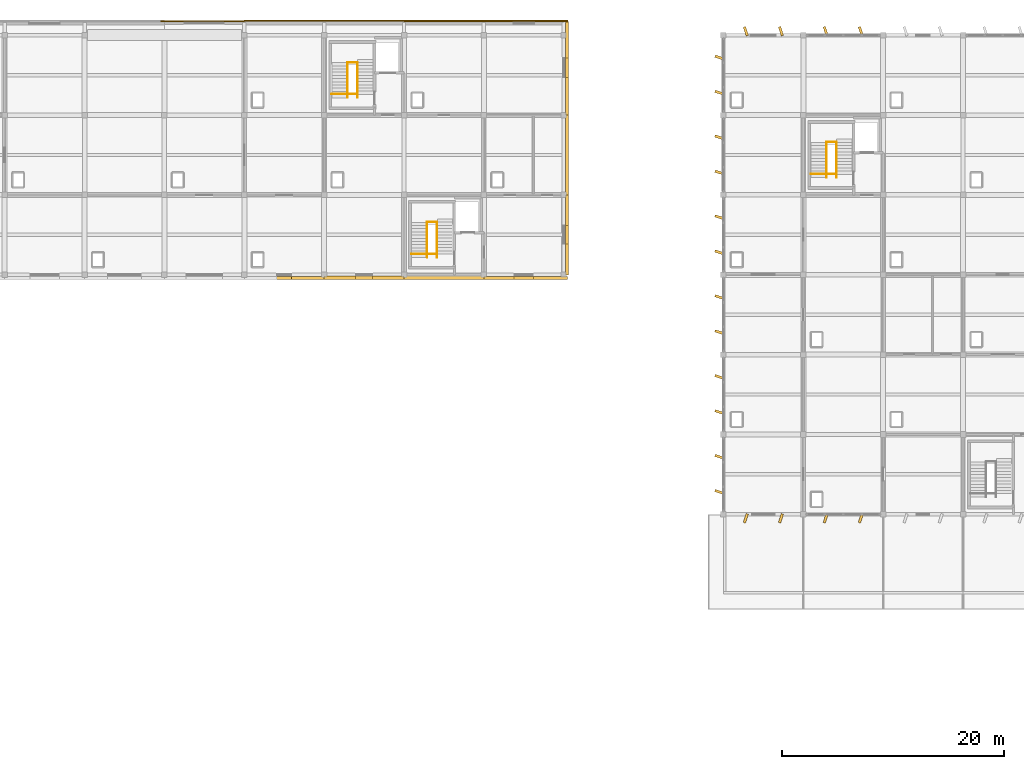
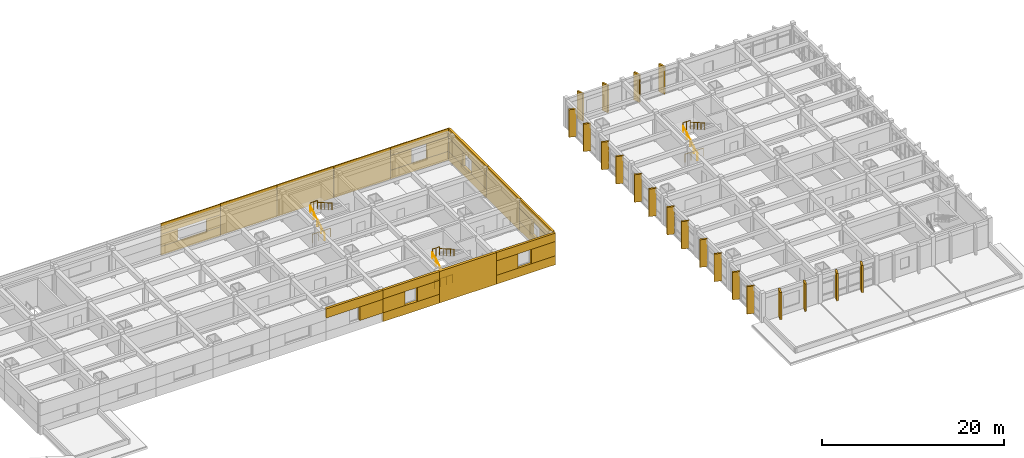
# One storey, part 39 of 40: 51 coverings, 12 railings.
"""IFC4 building model written with IfcOpenShell, lengths in metres."""

from ifc_helpers import new_model, si_unit, direction, frame, origin, origin_2d, place, context, subcontext, project, spatial, polyline, rectangle, circle, outline, extrude, material, layer, layer_set, type_object, element, save


model = new_model("IFC4")

# Units and contexts
model_context = context("Model", 3, precision=1e-05, world=origin(), true_north=direction((0.0, 1.0)))
body_context = subcontext(model_context, "Body", "Model", "MODEL_VIEW")
ifc_project = project(units=[si_unit("LENGTHUNIT", "METRE"), si_unit("AREAUNIT", "SQUARE_METRE"), si_unit("VOLUMEUNIT", "CUBIC_METRE"), si_unit("PLANEANGLEUNIT", "RADIAN"), si_unit("MASSUNIT", "GRAM", prefix="KILO")], contexts=[model_context])

# Site, building, storey
site_placement = place(None, origin())
site = spatial("IfcSite", under=ifc_project, at=site_placement, CompositionType="ELEMENT")
building_placement = place(site_placement, origin())
building = spatial("IfcBuilding", under=site, at=building_placement, Name="Kavelor Marine Aquarium", CompositionType="ELEMENT")
storey_placement = place(building_placement, frame((0.0, 0.0, 17.639892578125)))
storey = spatial("IfcBuildingStorey", under=building, at=storey_placement, Name="L04", CompositionType="ELEMENT", Elevation=17.639892578125)

# Coverings
ifc_material_1 = material(Name="Precast Concrete C45/55 Coastal Brise-Soleil Fin", Category="concrete")
ifc_layer_1 = layer(ifc_material_1, 0.219970703125)
ifc_layer_set_1 = layer_set([ifc_layer_1], Name="COV-CL1")
covering_type_1 = type_object("IfcCoveringType", Name="COV-CL1", PredefinedType="CLADDING", material=ifc_layer_set_1)
for number, where, z_axis, x_axis, name in (
    (1, (118.0400390625, 69.615966796875, 0.0), (0.0, 0.0, 1.0), (0.951056516295, -0.309016994375, 0.0), "fin:y:L04:16_09:0"),
    (2, (118.0400390625, 72.783935546875, 0.0), (0.0, 0.0, 1.0), (0.951056516295, -0.309016994375, 0.0), "fin:y:L04:16_09:1"),
    (3, (118.0400390625, 76.81591796875, 0.0), (0.0, 0.0, 1.0), (0.951056516295, -0.309016994375, 0.0), "fin:y:L04:16_10:0"),
    (4, (118.0400390625, 79.98388671875, 0.0), (0.0, 0.0, 1.0), (0.951056516295, -0.309016994375, 0.0), "fin:y:L04:16_10:1"),
    (5, (118.0400390625, 84.01611328125, 0.0), (0.0, 0.0, 1.0), (0.951056516295, -0.309016994375, 0.0), "fin:y:L04:16_11:0"),
    (6, (118.0400390625, 87.18408203125, 0.0), (0.0, 0.0, 1.0), (0.951056516295, -0.309016994375, 0.0), "fin:y:L04:16_11:1"),
    (7, (118.0400390625, 91.216064453125, 0.0), (0.0, 0.0, 1.0), (0.951056516295, -0.309016994375, 0.0), "fin:y:L04:16_12:0"),
    (8, (118.0400390625, 94.384033203125, 0.0), (0.0, 0.0, 1.0), (0.951056516295, -0.309016994375, 0.0), "fin:y:L04:16_12:1"),
    (9, (118.0400390625, 98.416015625, 0.0), (0.0, 0.0, 1.0), (0.951056516295, -0.309016994375, 0.0), "fin:y:L04:16_13:0"),
    (10, (118.0400390625, 101.583984375, 0.0), (0.0, 0.0, 1.0), (0.951056516295, -0.309016994375, 0.0), "fin:y:L04:16_13:1"),
    (11, (118.0400390625, 105.615966796875, 0.0), (0.0, 0.0, 1.0), (0.951056516295, -0.309016994375, 0.0), "fin:y:L04:16_14:0"),
    (12, (118.0400390625, 108.783935546875, 0.0), (0.0, 0.0, 1.0), (0.951056516295, -0.309016994375, 0.0), "fin:y:L04:16_14:1"),
):
    element("IfcCovering", number, at=place(storey_placement, frame(where, z_axis=z_axis, x_axis=x_axis)), inside=storey, type_object=covering_type_1, Name=name, PredefinedType="CLADDING", context=body_context, shape_type="SweptSolid", body=[
        extrude(rectangle(XDim=0.85009765625, YDim=0.219970703125, at=origin_2d()), origin(), (0.0, 0.0, 1.0), 3.699951171875),
    ])
for number, where, z_axis, x_axis, name in (
    (13, (120.416015625, 67.239990234375, 0.0), (0.0, 0.0, 1.0), (0.951056516295, -0.309016994375, 0.0), "fin:x:L04:16_09:0"),
    (14, (123.583984375, 67.239990234375, 0.0), (0.0, 0.0, 1.0), (0.951056516295, -0.309016994375, 0.0), "fin:x:L04:16_09:1"),
    (15, (120.416015625, 111.159912109375, 0.0), (0.0, 0.0, 1.0), (0.951056516295, 0.309016994375, 0.0), "fin:x:L04:16_15:0"),
    (16, (123.583984375, 111.159912109375, 0.0), (0.0, 0.0, 1.0), (0.951056516295, 0.309016994375, 0.0), "fin:x:L04:16_15:1"),
    (17, (127.615966796875, 67.239990234375, 0.0), (0.0, 0.0, 1.0), (0.951056516295, -0.309016994375, 0.0), "fin:x:L04:17_09:0"),
    (18, (130.783935546875, 67.239990234375, 0.0), (0.0, 0.0, 1.0), (0.951056516295, -0.309016994375, 0.0), "fin:x:L04:17_09:1"),
    (19, (127.615966796875, 111.159912109375, 0.0), (0.0, 0.0, 1.0), (0.951056516295, 0.309016994375, 0.0), "fin:x:L04:17_15:0"),
    (20, (130.783935546875, 111.159912109375, 0.0), (0.0, 0.0, 1.0), (0.951056516295, 0.309016994375, 0.0), "fin:x:L04:17_15:1"),
):
    element("IfcCovering", number, at=place(storey_placement, frame(where, z_axis=z_axis, x_axis=x_axis)), inside=storey, type_object=covering_type_1, Name=name, PredefinedType="CLADDING", context=body_context, shape_type="SweptSolid", body=[
        extrude(rectangle(XDim=0.219970703125, YDim=0.85009765625, at=origin_2d()), origin(), (0.0, 0.0, 1.0), 3.699951171875),
    ])
ifc_material_2 = material(Name="Smooth White Marine Aluminium Composite Cladding", Category="aluminium")
ifc_layer_2 = layer(ifc_material_2, 0.10009765625)
ifc_layer_set_2 = layer_set([ifc_layer_2], Name="COV-WM1")
covering_type_2 = type_object("IfcCoveringType", Name="COV-WM1", PredefinedType="CLADDING", material=ifc_layer_set_2)
covering_1_placement = place(storey_placement, frame((0.0, 0.0, -0.27978515625)))
element("IfcCovering", 21, at=covering_1_placement, inside=storey, type_object=covering_type_2, Name="wmc:x:L04:09_15:sill", PredefinedType="CLADDING", context=body_context, shape_type="SweptSolid", body=[
    extrude(outline(polyline([(67.64990234375, 112.0), (75.199951171875, 112.0), (75.199951171875, 112.1201171875), (67.64990234375, 112.1201171875), (67.64990234375, 112.0)])), origin(), (0.0, 0.0, 1.0), 1.18994140625),
])
covering_2_placement = place(storey_placement, frame((0.0, 0.0, 2.5400390625)))
element("IfcCovering", 22, at=covering_2_placement, inside=storey, type_object=covering_type_2, Name="wmc:x:L04:09_15:head", PredefinedType="CLADDING", context=body_context, shape_type="SweptSolid", body=[
    extrude(outline(polyline([(67.64990234375, 112.0), (75.199951171875, 112.0), (75.199951171875, 112.1201171875), (67.64990234375, 112.1201171875), (67.64990234375, 112.0)])), origin(), (0.0, 0.0, 1.0), 1.420166015625),
])
covering_3_placement = place(storey_placement, frame((0.0, 0.0, 0.91015625)))
element("IfcCovering", 23, at=covering_3_placement, inside=storey, type_object=covering_type_2, Name="wmc:x:L04:09_15:left", PredefinedType="CLADDING", context=body_context, shape_type="SweptSolid", body=[
    extrude(outline(polyline([(67.64990234375, 112.0), (69.81005859375, 112.0), (69.81005859375, 112.1201171875), (67.64990234375, 112.1201171875), (67.64990234375, 112.0)])), origin(), (0.0, 0.0, 1.0), 1.6298828125),
])
covering_4_placement = place(storey_placement, frame((0.0, 0.0, 0.91015625)))
element("IfcCovering", 24, at=covering_4_placement, inside=storey, type_object=covering_type_2, Name="wmc:x:L04:09_15:right", PredefinedType="CLADDING", context=body_context, shape_type="SweptSolid", body=[
    extrude(outline(polyline([(73.389892578125, 112.0), (75.199951171875, 112.0), (75.199951171875, 112.1201171875), (73.389892578125, 112.1201171875), (73.389892578125, 112.0)])), origin(), (0.0, 0.0, 1.0), 1.6298828125),
])
covering_5_placement = place(storey_placement, frame((0.0, 0.0, 2.739990234375)))
element("IfcCovering", 25, at=covering_5_placement, inside=storey, type_object=covering_type_2, Name="wmc:x:L04:10_12:head", PredefinedType="CLADDING", context=body_context, shape_type="SweptSolid", body=[
    extrude(outline(polyline([(75.199951171875, 88.760009765625), (82.39990234375, 88.760009765625), (82.39990234375, 89.06005859375), (75.199951171875, 89.06005859375), (75.199951171875, 88.760009765625)])), origin(), (0.0, 0.0, 1.0), 1.22021484375),
])
covering_6_placement = place(storey_placement, frame((0.0, 0.0, 0.91015625)))
element("IfcCovering", 26, at=covering_6_placement, inside=storey, type_object=covering_type_2, Name="wmc:x:L04:10_12:right", PredefinedType="CLADDING", context=body_context, shape_type="SweptSolid", body=[
    extrude(outline(polyline([(79.465087890625, 88.760009765625), (82.39990234375, 88.760009765625), (82.39990234375, 89.06005859375), (79.465087890625, 89.06005859375), (79.465087890625, 88.760009765625)])), origin(), (0.0, 0.0, 1.0), 1.829833984375),
])
covering_7_placement = place(storey_placement, frame((0.0, 0.0, -0.27978515625)))
element("IfcCovering", 27, at=covering_7_placement, inside=storey, type_object=covering_type_2, Name="wmc:x:L04:10_15:full", PredefinedType="CLADDING", context=body_context, shape_type="SweptSolid", body=[
    extrude(outline(polyline([(75.199951171875, 112.0400390625), (82.39990234375, 112.0400390625), (82.39990234375, 112.159912109375), (75.199951171875, 112.159912109375), (75.199951171875, 112.0400390625)])), origin(), (0.0, 0.0, 1.0), 4.239990234375),
])
covering_8_placement = place(storey_placement, frame((0.0, 0.0, -0.27978515625)))
element("IfcCovering", 28, at=covering_8_placement, inside=storey, type_object=covering_type_2, Name="wmc:x:L04:11_12:sill", PredefinedType="CLADDING", context=body_context, shape_type="SweptSolid", body=[
    extrude(outline(polyline([(82.39990234375, 88.760009765625), (89.60009765625, 88.760009765625), (89.60009765625, 89.070068359375), (82.39990234375, 89.070068359375), (82.39990234375, 88.760009765625)])), origin(), (0.0, 0.0, 1.0), 1.18994140625),
])
covering_9_placement = place(storey_placement, frame((0.0, 0.0, 2.7900390625)))
element("IfcCovering", 29, at=covering_9_placement, inside=storey, type_object=covering_type_2, Name="wmc:x:L04:11_12:head", PredefinedType="CLADDING", context=body_context, shape_type="SweptSolid", body=[
    extrude(outline(polyline([(82.39990234375, 88.760009765625), (89.60009765625, 88.760009765625), (89.60009765625, 89.070068359375), (82.39990234375, 89.070068359375), (82.39990234375, 88.760009765625)])), origin(), (0.0, 0.0, 1.0), 1.170166015625),
])
covering_10_placement = place(storey_placement, frame((0.0, 0.0, 0.91015625)))
element("IfcCovering", 30, at=covering_10_placement, inside=storey, type_object=covering_type_2, Name="wmc:x:L04:11_12:left", PredefinedType="CLADDING", context=body_context, shape_type="SweptSolid", body=[
    extrude(outline(polyline([(82.39990234375, 88.760009765625), (85.235107421875, 88.760009765625), (85.235107421875, 89.070068359375), (82.39990234375, 89.070068359375), (82.39990234375, 88.760009765625)])), origin(), (0.0, 0.0, 1.0), 1.8798828125),
])
covering_11_placement = place(storey_placement, frame((0.0, 0.0, 0.91015625)))
element("IfcCovering", 31, at=covering_11_placement, inside=storey, type_object=covering_type_2, Name="wmc:x:L04:11_12:right", PredefinedType="CLADDING", context=body_context, shape_type="SweptSolid", body=[
    extrude(outline(polyline([(86.764892578125, 88.760009765625), (89.60009765625, 88.760009765625), (89.60009765625, 89.070068359375), (86.764892578125, 89.070068359375), (86.764892578125, 88.760009765625)])), origin(), (0.0, 0.0, 1.0), 1.8798828125),
])
covering_12_placement = place(storey_placement, frame((0.0, 0.0, -0.27978515625)))
element("IfcCovering", 32, at=covering_12_placement, inside=storey, type_object=covering_type_2, Name="wmc:x:L04:11_15:full", PredefinedType="CLADDING", context=body_context, shape_type="SweptSolid", body=[
    extrude(outline(polyline([(82.39990234375, 112.050048828125), (89.60009765625, 112.050048828125), (89.60009765625, 112.169921875), (82.39990234375, 112.169921875), (82.39990234375, 112.050048828125)])), origin(), (0.0, 0.0, 1.0), 4.239990234375),
])
covering_13_placement = place(storey_placement, frame((0.0, 0.0, -0.27978515625)))
element("IfcCovering", 33, at=covering_13_placement, inside=storey, type_object=covering_type_2, Name="wmc:x:L04:12_12:full", PredefinedType="CLADDING", context=body_context, shape_type="SweptSolid", body=[
    extrude(outline(polyline([(89.60009765625, 88.760009765625), (96.800048828125, 88.760009765625), (96.800048828125, 89.080078125), (89.60009765625, 89.080078125), (89.60009765625, 88.760009765625)])), origin(), (0.0, 0.0, 1.0), 4.239990234375),
])
covering_14_placement = place(storey_placement, frame((0.0, 0.0, -0.27978515625)))
element("IfcCovering", 34, at=covering_14_placement, inside=storey, type_object=covering_type_2, Name="wmc:x:L04:12_15:full", PredefinedType="CLADDING", context=body_context, shape_type="SweptSolid", body=[
    extrude(outline(polyline([(89.60009765625, 112.030029296875), (96.800048828125, 112.030029296875), (96.800048828125, 112.14990234375), (89.60009765625, 112.14990234375), (89.60009765625, 112.030029296875)])), origin(), (0.0, 0.0, 1.0), 4.239990234375),
])
covering_15_placement = place(storey_placement, frame((0.0, 0.0, -0.27978515625)))
element("IfcCovering", 35, at=covering_15_placement, inside=storey, type_object=covering_type_2, Name="wmc:x:L04:13_12:sill", PredefinedType="CLADDING", context=body_context, shape_type="SweptSolid", body=[
    extrude(outline(polyline([(96.800048828125, 88.760009765625), (104.35009765625, 88.760009765625), (104.35009765625, 89.0400390625), (96.800048828125, 89.0400390625), (96.800048828125, 88.760009765625)])), origin(), (0.0, 0.0, 1.0), 1.18994140625),
])
covering_16_placement = place(storey_placement, frame((0.0, 0.0, 2.840087890625)))
element("IfcCovering", 36, at=covering_16_placement, inside=storey, type_object=covering_type_2, Name="wmc:x:L04:13_12:head", PredefinedType="CLADDING", context=body_context, shape_type="SweptSolid", body=[
    extrude(outline(polyline([(96.800048828125, 88.760009765625), (104.35009765625, 88.760009765625), (104.35009765625, 89.0400390625), (96.800048828125, 89.0400390625), (96.800048828125, 88.760009765625)])), origin(), (0.0, 0.0, 1.0), 1.1201171875),
])
covering_17_placement = place(storey_placement, frame((0.0, 0.0, 0.91015625)))
element("IfcCovering", 37, at=covering_17_placement, inside=storey, type_object=covering_type_2, Name="wmc:x:L04:13_12:left", PredefinedType="CLADDING", context=body_context, shape_type="SweptSolid", body=[
    extrude(outline(polyline([(96.800048828125, 88.760009765625), (99.534912109375, 88.760009765625), (99.534912109375, 89.0400390625), (96.800048828125, 89.0400390625), (96.800048828125, 88.760009765625)])), origin(), (0.0, 0.0, 1.0), 1.929931640625),
])
covering_18_placement = place(storey_placement, frame((0.0, 0.0, 0.91015625)))
element("IfcCovering", 38, at=covering_18_placement, inside=storey, type_object=covering_type_2, Name="wmc:x:L04:13_12:right", PredefinedType="CLADDING", context=body_context, shape_type="SweptSolid", body=[
    extrude(outline(polyline([(101.264892578125, 88.760009765625), (104.35009765625, 88.760009765625), (104.35009765625, 89.0400390625), (101.264892578125, 89.0400390625), (101.264892578125, 88.760009765625)])), origin(), (0.0, 0.0, 1.0), 1.929931640625),
])
covering_19_placement = place(storey_placement, frame((0.0, 0.0, -0.27978515625)))
element("IfcCovering", 39, at=covering_19_placement, inside=storey, type_object=covering_type_2, Name="wmc:x:L04:13_15:sill", PredefinedType="CLADDING", context=body_context, shape_type="SweptSolid", body=[
    extrude(outline(polyline([(96.800048828125, 112.02001953125), (104.35009765625, 112.02001953125), (104.35009765625, 112.139892578125), (96.800048828125, 112.139892578125), (96.800048828125, 112.02001953125)])), origin(), (0.0, 0.0, 1.0), 1.18994140625),
])
covering_20_placement = place(storey_placement, frame((0.0, 0.0, 2.89013671875)))
element("IfcCovering", 40, at=covering_20_placement, inside=storey, type_object=covering_type_2, Name="wmc:x:L04:13_15:head", PredefinedType="CLADDING", context=body_context, shape_type="SweptSolid", body=[
    extrude(outline(polyline([(96.800048828125, 112.02001953125), (104.35009765625, 112.02001953125), (104.35009765625, 112.139892578125), (96.800048828125, 112.139892578125), (96.800048828125, 112.02001953125)])), origin(), (0.0, 0.0, 1.0), 1.070068359375),
])
covering_21_placement = place(storey_placement, frame((0.0, 0.0, 0.91015625)))
element("IfcCovering", 41, at=covering_21_placement, inside=storey, type_object=covering_type_2, Name="wmc:x:L04:13_15:left", PredefinedType="CLADDING", context=body_context, shape_type="SweptSolid", body=[
    extrude(outline(polyline([(96.800048828125, 112.02001953125), (99.43505859375, 112.02001953125), (99.43505859375, 112.139892578125), (96.800048828125, 112.139892578125), (96.800048828125, 112.02001953125)])), origin(), (0.0, 0.0, 1.0), 1.97998046875),
])
covering_22_placement = place(storey_placement, frame((0.0, 0.0, 0.91015625)))
element("IfcCovering", 42, at=covering_22_placement, inside=storey, type_object=covering_type_2, Name="wmc:x:L04:13_15:right", PredefinedType="CLADDING", context=body_context, shape_type="SweptSolid", body=[
    extrude(outline(polyline([(101.364990234375, 112.02001953125), (104.35009765625, 112.02001953125), (104.35009765625, 112.139892578125), (101.364990234375, 112.139892578125), (101.364990234375, 112.02001953125)])), origin(), (0.0, 0.0, 1.0), 1.97998046875),
])
covering_23_placement = place(storey_placement, frame((0.0, 0.0, -0.27978515625)))
element("IfcCovering", 43, at=covering_23_placement, inside=storey, type_object=covering_type_2, Name="wmc:y:L04:14_12:sill", PredefinedType="CLADDING", context=body_context, shape_type="SweptSolid", body=[
    extrude(outline(polyline([(104.169921875, 89.199951171875), (104.43994140625, 89.199951171875), (104.43994140625, 96.39990234375), (104.169921875, 96.39990234375), (104.169921875, 89.199951171875)])), origin(), (0.0, 0.0, 1.0), 1.18994140625),
])
covering_24_placement = place(storey_placement, frame((0.0, 0.0, 2.690185546875)))
element("IfcCovering", 44, at=covering_24_placement, inside=storey, type_object=covering_type_2, Name="wmc:y:L04:14_12:head", PredefinedType="CLADDING", context=body_context, shape_type="SweptSolid", body=[
    extrude(outline(polyline([(104.169921875, 89.199951171875), (104.43994140625, 89.199951171875), (104.43994140625, 96.39990234375), (104.169921875, 96.39990234375), (104.169921875, 89.199951171875)])), origin(), (0.0, 0.0, 1.0), 1.27001953125),
])
covering_25_placement = place(storey_placement, frame((0.0, 0.0, 0.91015625)))
element("IfcCovering", 45, at=covering_25_placement, inside=storey, type_object=covering_type_2, Name="wmc:y:L04:14_12:left", PredefinedType="CLADDING", context=body_context, shape_type="SweptSolid", body=[
    extrude(outline(polyline([(104.169921875, 89.199951171875), (104.43994140625, 89.199951171875), (104.43994140625, 91.9599609375), (104.169921875, 91.9599609375), (104.169921875, 89.199951171875)])), origin(), (0.0, 0.0, 1.0), 1.780029296875),
])
covering_26_placement = place(storey_placement, frame((0.0, 0.0, 0.91015625)))
element("IfcCovering", 46, at=covering_26_placement, inside=storey, type_object=covering_type_2, Name="wmc:y:L04:14_12:right", PredefinedType="CLADDING", context=body_context, shape_type="SweptSolid", body=[
    extrude(outline(polyline([(104.169921875, 93.639892578125), (104.43994140625, 93.639892578125), (104.43994140625, 96.39990234375), (104.169921875, 96.39990234375), (104.169921875, 93.639892578125)])), origin(), (0.0, 0.0, 1.0), 1.780029296875),
])
covering_27_placement = place(storey_placement, frame((0.0, 0.0, -0.27978515625)))
element("IfcCovering", 47, at=covering_27_placement, inside=storey, type_object=covering_type_2, Name="wmc:y:L04:14_13:full", PredefinedType="CLADDING", context=body_context, shape_type="SweptSolid", body=[
    extrude(outline(polyline([(104.14990234375, 96.39990234375), (104.43994140625, 96.39990234375), (104.43994140625, 103.60009765625), (104.14990234375, 103.60009765625), (104.14990234375, 96.39990234375)])), origin(), (0.0, 0.0, 1.0), 4.239990234375),
])
covering_28_placement = place(storey_placement, frame((0.0, 0.0, -0.27978515625)))
element("IfcCovering", 48, at=covering_28_placement, inside=storey, type_object=covering_type_2, Name="wmc:y:L04:14_14:sill", PredefinedType="CLADDING", context=body_context, shape_type="SweptSolid", body=[
    extrude(outline(polyline([(104.139892578125, 103.60009765625), (104.43994140625, 103.60009765625), (104.43994140625, 112.0400390625), (104.139892578125, 112.0400390625), (104.139892578125, 103.60009765625)])), origin(), (0.0, 0.0, 1.0), 1.18994140625),
])
covering_29_placement = place(storey_placement, frame((0.0, 0.0, 2.739990234375)))
element("IfcCovering", 49, at=covering_29_placement, inside=storey, type_object=covering_type_2, Name="wmc:y:L04:14_14:head", PredefinedType="CLADDING", context=body_context, shape_type="SweptSolid", body=[
    extrude(outline(polyline([(104.139892578125, 103.60009765625), (104.43994140625, 103.60009765625), (104.43994140625, 112.0400390625), (104.139892578125, 112.0400390625), (104.139892578125, 103.60009765625)])), origin(), (0.0, 0.0, 1.0), 1.22021484375),
])
covering_30_placement = place(storey_placement, frame((0.0, 0.0, 0.91015625)))
element("IfcCovering", 50, at=covering_30_placement, inside=storey, type_object=covering_type_2, Name="wmc:y:L04:14_14:left", PredefinedType="CLADDING", context=body_context, shape_type="SweptSolid", body=[
    extrude(outline(polyline([(104.139892578125, 103.60009765625), (104.43994140625, 103.60009765625), (104.43994140625, 106.972412109375), (104.139892578125, 106.972412109375), (104.139892578125, 103.60009765625)])), origin(), (0.0, 0.0, 1.0), 1.829833984375),
])
covering_31_placement = place(storey_placement, frame((0.0, 0.0, 0.91015625)))
element("IfcCovering", 51, at=covering_31_placement, inside=storey, type_object=covering_type_2, Name="wmc:y:L04:14_14:right", PredefinedType="CLADDING", context=body_context, shape_type="SweptSolid", body=[
    extrude(outline(polyline([(104.139892578125, 108.75244140625), (104.43994140625, 108.75244140625), (104.43994140625, 112.0400390625), (104.139892578125, 112.0400390625), (104.139892578125, 108.75244140625)])), origin(), (0.0, 0.0, 1.0), 1.829833984375),
])

# Railings
ifc_material_3 = material(Name="Brushed Stainless Steel Wall and Flight Handrail", Category="steel")
railing_type_1 = type_object("IfcRailingType", Name="RL-HR1", PredefinedType="HANDRAIL", material=ifc_material_3)
railing_1_placement = place(storey_placement, frame((84.489990234375, 105.159912109375, 0.0)))
element("IfcRailing", 52, at=railing_1_placement, inside=storey, type_object=railing_type_1, Name="Stair Handrail ST06-1", PredefinedType="HANDRAIL", context=body_context, shape_type="SweptSolid", body=[
    extrude(circle(Radius=0.02001953125, at=origin_2d()), frame((0.0, 0.0, 0.8798828125), z_axis=(0.0, 0.867662351192, 0.497153944291), x_axis=(-1.0, 0.0, 0.0)), (0.0, 0.0, 1.0), 3.651123046875),
    extrude(circle(Radius=0.01806640625, at=origin_2d()), origin(), (0.0, 0.0, 1.0), 0.85986328125),
    extrude(circle(Radius=0.01806640625, at=origin_2d()), frame((0.0, 0.7919921875, 0.453857421875)), (0.0, 0.0, 1.0), 0.85986328125),
    extrude(circle(Radius=0.01806640625, at=origin_2d()), frame((0.0, 1.583984375, 0.90771484375)), (0.0, 0.0, 1.0), 0.85986328125),
    extrude(circle(Radius=0.01806640625, at=origin_2d()), frame((0.0, 2.3759765625, 1.361328125)), (0.0, 0.0, 1.0), 0.85986328125),
    extrude(circle(Radius=0.01806640625, at=origin_2d()), frame((0.0, 3.16796875, 1.815185546875)), (0.0, 0.0, 1.0), 0.85986328125),
])
railing_2_placement = place(storey_placement, frame((85.389892578125, 108.327880859375, 1.980224609375)))
element("IfcRailing", 53, at=railing_2_placement, inside=storey, type_object=railing_type_1, Name="Stair Handrail ST06-2", PredefinedType="HANDRAIL", context=body_context, shape_type="SweptSolid", body=[
    extrude(circle(Radius=0.02001953125, at=origin_2d()), frame((0.0, 0.0, 0.8798828125), z_axis=(0.0, -0.86769119443, 0.497103601988), x_axis=(1.0, 0.0, 0.0)), (0.0, 0.0, 1.0), 3.651123046875),
    extrude(circle(Radius=0.01806640625, at=origin_2d()), origin(), (0.0, 0.0, 1.0), 0.85986328125),
    extrude(circle(Radius=0.01806640625, at=origin_2d()), frame((0.0, -0.7919921875, 0.45361328125)), (0.0, 0.0, 1.0), 0.85986328125),
    extrude(circle(Radius=0.01806640625, at=origin_2d()), frame((0.0, -1.583984375, 0.907470703125)), (0.0, 0.0, 1.0), 0.85986328125),
    extrude(circle(Radius=0.01806640625, at=origin_2d()), frame((0.0, -2.3759765625, 1.361328125)), (0.0, 0.0, 1.0), 0.85986328125),
    extrude(circle(Radius=0.01806640625, at=origin_2d()), frame((0.0, -3.16796875, 1.81494140625)), (0.0, 0.0, 1.0), 0.85986328125),
])
railing_3_placement = place(storey_placement, frame((91.68994140625, 90.760009765625, 0.0)))
element("IfcRailing", 54, at=railing_3_placement, inside=storey, type_object=railing_type_1, Name="Stair Handrail ST07-1", PredefinedType="HANDRAIL", context=body_context, shape_type="SweptSolid", body=[
    extrude(circle(Radius=0.02001953125, at=origin_2d()), frame((0.0, 0.0, 0.8798828125), z_axis=(0.0, 0.867662351192, 0.497153944291), x_axis=(-1.0, 0.0, 0.0)), (0.0, 0.0, 1.0), 3.651123046875),
    extrude(circle(Radius=0.01806640625, at=origin_2d()), origin(), (0.0, 0.0, 1.0), 0.85986328125),
    extrude(circle(Radius=0.01806640625, at=origin_2d()), frame((0.0, 0.7919921875, 0.453857421875)), (0.0, 0.0, 1.0), 0.85986328125),
    extrude(circle(Radius=0.01806640625, at=origin_2d()), frame((0.0, 1.583984375, 0.90771484375)), (0.0, 0.0, 1.0), 0.85986328125),
    extrude(circle(Radius=0.01806640625, at=origin_2d()), frame((0.0, 2.3759765625, 1.361328125)), (0.0, 0.0, 1.0), 0.85986328125),
    extrude(circle(Radius=0.01806640625, at=origin_2d()), frame((0.0, 3.16796875, 1.815185546875)), (0.0, 0.0, 1.0), 0.85986328125),
])
railing_4_placement = place(storey_placement, frame((92.590087890625, 93.927978515625, 1.980224609375)))
element("IfcRailing", 55, at=railing_4_placement, inside=storey, type_object=railing_type_1, Name="Stair Handrail ST07-2", PredefinedType="HANDRAIL", context=body_context, shape_type="SweptSolid", body=[
    extrude(circle(Radius=0.02001953125, at=origin_2d()), frame((0.0, 0.0, 0.8798828125), z_axis=(0.0, -0.86769119443, 0.497103601988), x_axis=(1.0, 0.0, 0.0)), (0.0, 0.0, 1.0), 3.651123046875),
    extrude(circle(Radius=0.01806640625, at=origin_2d()), origin(), (0.0, 0.0, 1.0), 0.85986328125),
    extrude(circle(Radius=0.01806640625, at=origin_2d()), frame((0.0, -0.7919921875, 0.45361328125)), (0.0, 0.0, 1.0), 0.85986328125),
    extrude(circle(Radius=0.01806640625, at=origin_2d()), frame((0.0, -1.583984375, 0.907470703125)), (0.0, 0.0, 1.0), 0.85986328125),
    extrude(circle(Radius=0.01806640625, at=origin_2d()), frame((0.0, -2.3759765625, 1.361328125)), (0.0, 0.0, 1.0), 0.85986328125),
    extrude(circle(Radius=0.01806640625, at=origin_2d()), frame((0.0, -3.16796875, 1.81494140625)), (0.0, 0.0, 1.0), 0.85986328125),
])
railing_5_placement = place(storey_placement, frame((127.68994140625, 97.9599609375, 0.0)))
element("IfcRailing", 56, at=railing_5_placement, inside=storey, type_object=railing_type_1, Name="Stair Handrail ST10-1", PredefinedType="HANDRAIL", context=body_context, shape_type="SweptSolid", body=[
    extrude(circle(Radius=0.02001953125, at=origin_2d()), frame((0.0, 0.0, 0.8798828125), z_axis=(0.0, 0.867662351192, 0.497153944291), x_axis=(-1.0, 0.0, 0.0)), (0.0, 0.0, 1.0), 3.651123046875),
    extrude(circle(Radius=0.01806640625, at=origin_2d()), origin(), (0.0, 0.0, 1.0), 0.85986328125),
    extrude(circle(Radius=0.01806640625, at=origin_2d()), frame((0.0, 0.7919921875, 0.453857421875)), (0.0, 0.0, 1.0), 0.85986328125),
    extrude(circle(Radius=0.01806640625, at=origin_2d()), frame((0.0, 1.583984375, 0.90771484375)), (0.0, 0.0, 1.0), 0.85986328125),
    extrude(circle(Radius=0.01806640625, at=origin_2d()), frame((0.0, 2.3759765625, 1.361328125)), (0.0, 0.0, 1.0), 0.85986328125),
    extrude(circle(Radius=0.01806640625, at=origin_2d()), frame((0.0, 3.16796875, 1.815185546875)), (0.0, 0.0, 1.0), 0.85986328125),
])
railing_6_placement = place(storey_placement, frame((128.590087890625, 101.1279296875, 1.980224609375)))
element("IfcRailing", 57, at=railing_6_placement, inside=storey, type_object=railing_type_1, Name="Stair Handrail ST10-2", PredefinedType="HANDRAIL", context=body_context, shape_type="SweptSolid", body=[
    extrude(circle(Radius=0.02001953125, at=origin_2d()), frame((0.0, 0.0, 0.8798828125), z_axis=(0.0, -0.86769119443, 0.497103601988), x_axis=(1.0, 0.0, 0.0)), (0.0, 0.0, 1.0), 3.651123046875),
    extrude(circle(Radius=0.01806640625, at=origin_2d()), origin(), (0.0, 0.0, 1.0), 0.85986328125),
    extrude(circle(Radius=0.01806640625, at=origin_2d()), frame((0.0, -0.7919921875, 0.45361328125)), (0.0, 0.0, 1.0), 0.85986328125),
    extrude(circle(Radius=0.01806640625, at=origin_2d()), frame((0.0, -1.583984375, 0.907470703125)), (0.0, 0.0, 1.0), 0.85986328125),
    extrude(circle(Radius=0.01806640625, at=origin_2d()), frame((0.0, -2.3759765625, 1.361328125)), (0.0, 0.0, 1.0), 0.85986328125),
    extrude(circle(Radius=0.01806640625, at=origin_2d()), frame((0.0, -3.16796875, 1.81494140625)), (0.0, 0.0, 1.0), 0.85986328125),
])
ifc_material_4 = material(Name="Brushed Stainless Steel Stair Guardrail", Category="steel")
railing_type_2 = type_object("IfcRailingType", Name="RL-SG1", PredefinedType="GUARDRAIL", material=ifc_material_4)
railing_7_placement = place(storey_placement, frame((84.489990234375, 108.35791015625, 1.980224609375)))
element("IfcRailing", 58, at=railing_7_placement, inside=storey, type_object=railing_type_2, Name="Landing Guardrail ST06-M", PredefinedType="GUARDRAIL", context=body_context, shape_type="SweptSolid", body=[
    extrude(circle(Radius=0.0224609375, at=origin_2d()), frame((0.0, 0.0, 1.09765625), z_axis=(1.0, 0.0, 0.0), x_axis=(0.0, 1.0, 0.0)), (0.0, 0.0, 1.0), 0.89990234375),
    extrude(circle(Radius=0.02099609375, at=origin_2d()), origin(), (0.0, 0.0, 1.0), 1.0751953125),
    extrude(circle(Radius=0.02099609375, at=origin_2d()), frame((0.449951171875, 0.0, 0.0)), (0.0, 0.0, 1.0), 1.0751953125),
    extrude(circle(Radius=0.02099609375, at=origin_2d()), frame((0.89990234375, 0.0, 0.0)), (0.0, 0.0, 1.0), 1.0751953125),
])
railing_8_placement = place(storey_placement, frame((83.080078125, 105.47998046875, 0.0)))
element("IfcRailing", 59, at=railing_8_placement, inside=storey, type_object=railing_type_2, Name="Stairwell Guardrail ST06-W", PredefinedType="GUARDRAIL", context=body_context, shape_type="SweptSolid", body=[
    extrude(circle(Radius=0.0224609375, at=origin_2d()), frame((0.0, 0.0, 1.09765625), z_axis=(1.0, 0.0, 0.0), x_axis=(0.0, 1.0, 0.0)), (0.0, 0.0, 1.0), 2.2998046875),
    extrude(circle(Radius=0.02099609375, at=origin_2d()), origin(), (0.0, 0.0, 1.0), 1.0751953125),
    extrude(circle(Radius=0.02099609375, at=origin_2d()), frame((0.7666015625, 0.0, 0.0)), (0.0, 0.0, 1.0), 1.0751953125),
    extrude(circle(Radius=0.02099609375, at=origin_2d()), frame((1.533203125, 0.0, 0.0)), (0.0, 0.0, 1.0), 1.0751953125),
    extrude(circle(Radius=0.02099609375, at=origin_2d()), frame((2.2998046875, 0.0, 0.0)), (0.0, 0.0, 1.0), 1.0751953125),
])
railing_9_placement = place(storey_placement, frame((91.68994140625, 93.9580078125, 1.980224609375)))
element("IfcRailing", 60, at=railing_9_placement, inside=storey, type_object=railing_type_2, Name="Landing Guardrail ST07-M", PredefinedType="GUARDRAIL", context=body_context, shape_type="SweptSolid", body=[
    extrude(circle(Radius=0.0224609375, at=origin_2d()), frame((0.0, 0.0, 1.09765625), z_axis=(1.0, 0.0, 0.0), x_axis=(0.0, 1.0, 0.0)), (0.0, 0.0, 1.0), 0.900146484375),
    extrude(circle(Radius=0.02099609375, at=origin_2d()), origin(), (0.0, 0.0, 1.0), 1.0751953125),
    extrude(circle(Radius=0.02099609375, at=origin_2d()), frame((0.4501953125, 0.0, 0.0)), (0.0, 0.0, 1.0), 1.0751953125),
    extrude(circle(Radius=0.02099609375, at=origin_2d()), frame((0.900146484375, 0.0, 0.0)), (0.0, 0.0, 1.0), 1.0751953125),
])
railing_10_placement = place(storey_placement, frame((90.280029296875, 91.080078125, 0.0)))
element("IfcRailing", 61, at=railing_10_placement, inside=storey, type_object=railing_type_2, Name="Stairwell Guardrail ST07-W", PredefinedType="GUARDRAIL", context=body_context, shape_type="SweptSolid", body=[
    extrude(circle(Radius=0.0224609375, at=origin_2d()), frame((0.0, 0.0, 1.09765625), z_axis=(1.0, 0.0, 0.0), x_axis=(0.0, 1.0, 0.0)), (0.0, 0.0, 1.0), 2.300048828125),
    extrude(circle(Radius=0.02099609375, at=origin_2d()), origin(), (0.0, 0.0, 1.0), 1.0751953125),
    extrude(circle(Radius=0.02099609375, at=origin_2d()), frame((0.7666015625, 0.0, 0.0)), (0.0, 0.0, 1.0), 1.0751953125),
    extrude(circle(Radius=0.02099609375, at=origin_2d()), frame((1.533447265625, 0.0, 0.0)), (0.0, 0.0, 1.0), 1.0751953125),
    extrude(circle(Radius=0.02099609375, at=origin_2d()), frame((2.300048828125, 0.0, 0.0)), (0.0, 0.0, 1.0), 1.0751953125),
])
railing_11_placement = place(storey_placement, frame((127.68994140625, 101.157958984375, 1.980224609375)))
element("IfcRailing", 62, at=railing_11_placement, inside=storey, type_object=railing_type_2, Name="Landing Guardrail ST10-M", PredefinedType="GUARDRAIL", context=body_context, shape_type="SweptSolid", body=[
    extrude(circle(Radius=0.0224609375, at=origin_2d()), frame((0.0, 0.0, 1.09765625), z_axis=(1.0, 0.0, 0.0), x_axis=(0.0, 1.0, 0.0)), (0.0, 0.0, 1.0), 0.900146484375),
    extrude(circle(Radius=0.02099609375, at=origin_2d()), origin(), (0.0, 0.0, 1.0), 1.0751953125),
    extrude(circle(Radius=0.02099609375, at=origin_2d()), frame((0.4501953125, 0.0, 0.0)), (0.0, 0.0, 1.0), 1.0751953125),
    extrude(circle(Radius=0.02099609375, at=origin_2d()), frame((0.900146484375, 0.0, 0.0)), (0.0, 0.0, 1.0), 1.0751953125),
])
railing_12_placement = place(storey_placement, frame((126.280029296875, 98.280029296875, 0.0)))
element("IfcRailing", 63, at=railing_12_placement, inside=storey, type_object=railing_type_2, Name="Stairwell Guardrail ST10-W", PredefinedType="GUARDRAIL", context=body_context, shape_type="SweptSolid", body=[
    extrude(circle(Radius=0.0224609375, at=origin_2d()), frame((0.0, 0.0, 1.09765625), z_axis=(1.0, 0.0, 0.0), x_axis=(0.0, 1.0, 0.0)), (0.0, 0.0, 1.0), 2.300048828125),
    extrude(circle(Radius=0.02099609375, at=origin_2d()), origin(), (0.0, 0.0, 1.0), 1.0751953125),
    extrude(circle(Radius=0.02099609375, at=origin_2d()), frame((0.7666015625, 0.0, 0.0)), (0.0, 0.0, 1.0), 1.0751953125),
    extrude(circle(Radius=0.02099609375, at=origin_2d()), frame((1.533447265625, 0.0, 0.0)), (0.0, 0.0, 1.0), 1.0751953125),
    extrude(circle(Radius=0.02099609375, at=origin_2d()), frame((2.300048828125, 0.0, 0.0)), (0.0, 0.0, 1.0), 1.0751953125),
])

save(model, "model.ifc")
